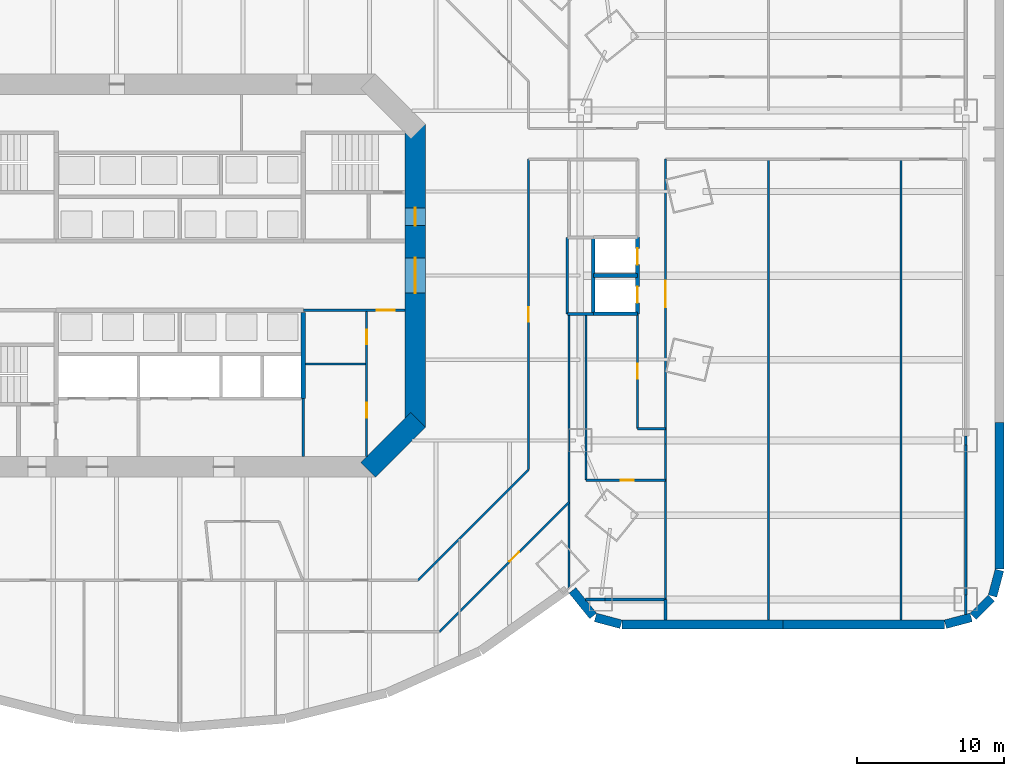
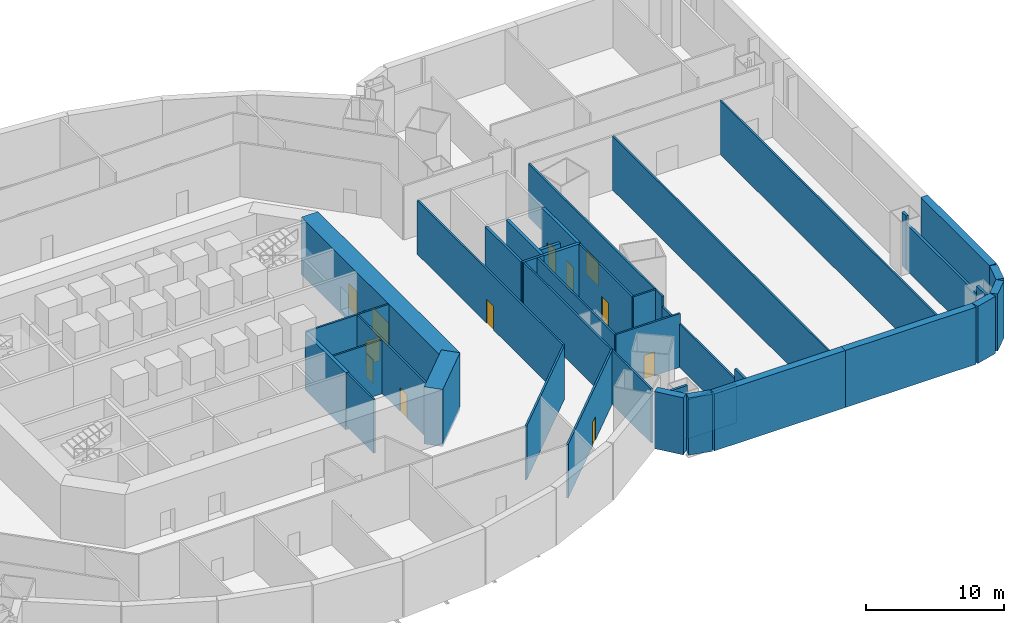
# One storey, part 7 of 11: 39 walls, 12 doors, 12 openings.
"""IFC4 building model written with IfcOpenShell, lengths in metres."""

from ifc_helpers import new_model, si_unit, direction, frame, frame_2d, origin, place, context, subcontext, project, spatial, rectangle, extrude, material, layer, layer_set, type_object, element, fill, save


model = new_model("IFC4")

# Units and contexts
model_context = context("Model", 3, precision=1e-05, world=origin(), true_north=direction((0.0, 1.0)))
body_context = subcontext(model_context, "Body", "Model", "MODEL_VIEW")
ifc_project = project(units=[si_unit("LENGTHUNIT", "METRE"), si_unit("AREAUNIT", "SQUARE_METRE"), si_unit("VOLUMEUNIT", "CUBIC_METRE"), si_unit("PLANEANGLEUNIT", "RADIAN"), si_unit("MASSUNIT", "GRAM", prefix="KILO")], contexts=[model_context])

# Site, building, storey
site_placement = place(None, origin())
site = spatial("IfcSite", under=ifc_project, at=site_placement, CompositionType="ELEMENT")
building_placement = place(site_placement, origin())
building = spatial("IfcBuilding", under=site, at=building_placement, Name="Marenthal Gate Tower", CompositionType="ELEMENT")
storey_placement = place(building_placement, frame((0.0, 0.0, -5.0)))
storey = spatial("IfcBuildingStorey", under=building, at=storey_placement, Name="B1", CompositionType="ELEMENT", Elevation=-5.0)

# Walls
ifc_material_1 = material(Name="Concrete 50 MPa", Category="concrete")
ifc_layer_1 = layer(ifc_material_1, 0.60009765625)
ifc_layer_set_1 = layer_set([ifc_layer_1], Name="BASEMENT WALL 600")
wall_type_1 = type_object("IfcWallType", Name="BASEMENT WALL 600", PredefinedType="SOLIDWALL", material=ifc_layer_set_1)
wall_1_placement = place(storey_placement, frame((26.683349609375, -21.38720703125, -0.300048828125), z_axis=(0.0, 0.0, 1.0), x_axis=(0.62890612744, -0.777481242776, 0.0)))
element("IfcWall", 1, at=wall_1_placement, inside=storey, type_object=wall_type_1, Name="BW-B1-09", PredefinedType="SOLIDWALL", context=body_context, shape_type="SweptSolid", body=[
    extrude(rectangle(XDim=2.236328125, YDim=0.60009765625, at=frame_2d((1.1181640625, 0.0))), origin(), (0.0, 0.0, 1.0), 5.050048828125),
])
wall_2_placement = place(storey_placement, frame((28.243408203125, -23.2265625, -0.300048828125), z_axis=(0.0, 0.0, 1.0), x_axis=(0.966257460443, -0.257578182573, 0.0)))
element("IfcWall", 2, at=wall_2_placement, inside=storey, type_object=wall_type_1, Name="BW-B1-10", PredefinedType="SOLIDWALL", context=body_context, shape_type="SweptSolid", body=[
    extrude(rectangle(XDim=1.799072265625, YDim=0.60009765625, at=frame_2d((0.8994140625, 0.0))), origin(), (0.0, 0.0, 1.0), 5.050048828125),
])
wall_3_placement = place(storey_placement, frame((30.05712890625, -23.699951171875, -0.300048828125), z_axis=(0.0, 0.0, 1.0), x_axis=(1.0, 0.0, 0.0)))
element("IfcWall", 3, at=wall_3_placement, inside=storey, type_object=wall_type_1, Name="BW-B1-11", PredefinedType="SOLIDWALL", context=body_context, shape_type="SweptSolid", body=[
    extrude(rectangle(XDim=10.94287109375, YDim=0.60009765625, at=frame_2d((5.471435546875, 0.0))), origin(), (0.0, 0.0, 1.0), 5.050048828125),
])
wall_4_placement = place(storey_placement, frame((41.00048828125, -23.699951171875, -0.300048828125), z_axis=(0.0, 0.0, 1.0), x_axis=(1.0, 0.0, 0.0)))
element("IfcWall", 4, at=wall_4_placement, inside=storey, type_object=wall_type_1, Name="BW-B1-12", PredefinedType="SOLIDWALL", context=body_context, shape_type="SweptSolid", body=[
    extrude(rectangle(XDim=10.9404296875, YDim=0.60009765625, at=frame_2d((5.47021484375, 0.0))), origin(), (0.0, 0.0, 1.0), 5.050048828125),
])
wall_5_placement = place(storey_placement, frame((52.0166015625, -23.690185546875, -0.300048828125), z_axis=(0.0, 0.0, 1.0), x_axis=(0.966301872336, 0.257411521733, 0.0)))
element("IfcWall", 5, at=wall_5_placement, inside=storey, type_object=wall_type_1, Name="BW-B1-13", PredefinedType="SOLIDWALL", context=body_context, shape_type="SweptSolid", body=[
    extrude(rectangle(XDim=1.8154296875, YDim=0.60009765625, at=frame_2d((0.90771484375, 0.0))), origin(), (0.0, 0.0, 1.0), 5.050048828125),
])
wall_6_placement = place(storey_placement, frame((53.904052734375, -23.146484375, -0.300048828125), z_axis=(0.0, 0.0, 1.0), x_axis=(0.707176340655, 0.707037214875, 0.0)))
element("IfcWall", 6, at=wall_6_placement, inside=storey, type_object=wall_type_1, Name="BW-B1-14", PredefinedType="SOLIDWALL", context=body_context, shape_type="SweptSolid", body=[
    extrude(rectangle(XDim=1.7548828125, YDim=0.60009765625, at=frame_2d((0.87744140625, 0.0))), origin(), (0.0, 0.0, 1.0), 5.050048828125),
])
wall_7_placement = place(storey_placement, frame((55.22216796875, -21.77294921875, -0.300048828125), z_axis=(0.0, 0.0, 1.0), x_axis=(0.257595706611, 0.966252788837, 0.0)))
element("IfcWall", 7, at=wall_7_placement, inside=storey, type_object=wall_type_1, Name="BW-B1-15", PredefinedType="SOLIDWALL", context=body_context, shape_type="SweptSolid", body=[
    extrude(rectangle(XDim=1.81591796875, YDim=0.60009765625, at=frame_2d((0.907958984375, 0.0))), origin(), (0.0, 0.0, 1.0), 5.050048828125),
])
wall_8_placement = place(storey_placement, frame((55.699951171875, -19.94287109375, -0.300048828125), z_axis=(0.0, 0.0, 1.0), x_axis=(0.0, 1.0, 0.0)))
element("IfcWall", 8, at=wall_8_placement, inside=storey, type_object=wall_type_1, Name="BW-B1-16", PredefinedType="SOLIDWALL", context=body_context, shape_type="SweptSolid", body=[
    extrude(rectangle(XDim=9.95263671875, YDim=0.60009765625, at=frame_2d((4.976318359375, 0.0))), origin(), (0.0, 0.0, 1.0), 5.050048828125),
])
ifc_material_2 = material(Name="Concrete 60 MPa", Category="concrete")
ifc_layer_2 = layer(ifc_material_2, 1.39990234375)
ifc_layer_set_2 = layer_set([ifc_layer_2], Name="Core shear wall 1400")
wall_type_2 = type_object("IfcWallType", Name="Core shear wall 1400", PredefinedType="SHEAR", material=ifc_layer_set_2)
wall_9_placement = place(storey_placement, frame((12.794921875, -13.205078125, -0.300048828125), z_axis=(0.0, 0.0, 1.0), x_axis=(0.707106781187, 0.707106781187, 0.0)))
element("IfcWall", 9, at=wall_9_placement, inside=storey, type_object=wall_type_2, Name="Core wall 01", PredefinedType="SHEAR", context=body_context, shape_type="SweptSolid", body=[
    extrude(rectangle(XDim=4.82275390625, YDim=1.39990234375, at=frame_2d((2.411376953125, 0.0))), origin(), (0.0, 0.0, 1.0), 5.050048828125),
])

# Wall, openings, doors
wall_10_placement = place(storey_placement, frame((16.0, -10.289794921875, -0.300048828125), z_axis=(0.0, 0.0, 1.0), x_axis=(0.0, 1.0, 0.0)))
wall_10 = element("IfcWall", 10, at=wall_10_placement, inside=storey, type_object=wall_type_2, Name="Core wall 02", PredefinedType="SHEAR", context=body_context, shape_type="SweptSolid", body=[
    extrude(rectangle(XDim=20.57958984375, YDim=1.39990234375, at=frame_2d((10.289794921875, 0.0))), origin(), (0.0, 0.0, 1.0), 5.050048828125),
])
opening_1_placement = place(wall_10_placement, frame((9.08984375, 0.0, 0.300048828125)))
opening_1 = element("IfcOpeningElement", 11, at=opening_1_placement, cuts=wall_10, Name="Opening D003.02", PredefinedType="OPENING", context=body_context, shape_type="SweptSolid", body=[
    extrude(rectangle(XDim=2.39990234375, YDim=2.10009765625, at=frame_2d((1.199951171875, 1.050048828125))), frame((0.0, 0.7099609375, 0.0), z_axis=(0.0, -1.0, 0.0), x_axis=(1.0, 0.0, 0.0)), (0.0, 0.0, 1.0), 1.419921875),
])
opening_2_placement = place(wall_10_placement, frame((13.68994140625, 0.0, 0.300048828125)))
opening_2 = element("IfcOpeningElement", 12, at=opening_2_placement, cuts=wall_10, Name="Opening D001.05", PredefinedType="OPENING", context=body_context, shape_type="SweptSolid", body=[
    extrude(rectangle(XDim=1.199951171875, YDim=2.10009765625, at=frame_2d((0.60009765625, 1.050048828125))), frame((0.0, 0.7099609375, 0.0), z_axis=(0.0, -1.0, 0.0), x_axis=(1.0, 0.0, 0.0)), (0.0, 0.0, 1.0), 1.419921875),
])
ifc_material_3 = material(Name="Steel fire door", Category="steel")
door_type_1 = type_object("IfcDoorType", Name="Double fire door FD 45 2400 x 2100", OperationType="DOUBLE_DOOR_SINGLE_SWING", PredefinedType="DOOR", material=ifc_material_3)
door_1_placement = place(opening_1_placement, origin())
door_1 = element("IfcDoor", 13, at=door_1_placement, inside=storey, type_object=door_type_1, Name="Door D003.02", OperationType="DOUBLE_DOOR_SINGLE_SWING", OverallHeight=2.10009765625, OverallWidth=2.39990234375, PredefinedType="DOOR", context=body_context, shape_type="SweptSolid", body=[
    extrude(rectangle(XDim=2.39990234375, YDim=2.10009765625, at=frame_2d((1.199951171875, 1.050048828125))), frame((0.0, 0.02490234375, 0.0), z_axis=(0.0, -1.0, 0.0), x_axis=(1.0, 0.0, 0.0)), (0.0, 0.0, 1.0), 0.050048828125),
])
fill(opening_1, door_1)
ifc_material_4 = material(Name="Steel fire door", Category="steel")
door_type_2 = type_object("IfcDoorType", Name="Fire door FD 90 1200 x 2100", OperationType="NOTDEFINED", PredefinedType="DOOR", material=ifc_material_4)
door_2_placement = place(opening_2_placement, origin())
door_2 = element("IfcDoor", 14, at=door_2_placement, inside=storey, type_object=door_type_2, Name="Door D001.05", OperationType="SINGLE_SWING_RIGHT", OverallHeight=2.10009765625, OverallWidth=1.199951171875, PredefinedType="DOOR", context=body_context, shape_type="SweptSolid", body=[
    extrude(rectangle(XDim=1.199951171875, YDim=2.10009765625, at=frame_2d((0.60009765625, 1.050048828125))), frame((0.0, 0.02490234375, 0.0), z_axis=(0.0, -1.0, 0.0), x_axis=(1.0, 0.0, 0.0)), (0.0, 0.0, 1.0), 0.050048828125),
])
fill(opening_2, door_2)

# Walls
ifc_material_5 = material(Name="Concrete 50 MPa", Category="concrete")
ifc_layer_3 = layer(ifc_material_5, 0.300048828125)
ifc_layer_set_3 = layer_set([ifc_layer_3], Name="Hoistway shear wall 300")
wall_type_3 = type_object("IfcWallType", Name="Hoistway shear wall 300", PredefinedType="SHEAR", material=ifc_layer_set_3)
wall_11_placement = place(storey_placement, frame((8.39990234375, -8.35009765625, -0.300048828125), z_axis=(0.0, 0.0, 1.0), x_axis=(0.0, 1.0, 0.0)))
element("IfcWall", 15, at=wall_11_placement, inside=storey, type_object=wall_type_3, Name="Hoistway wall 42", PredefinedType="SHEAR", context=body_context, shape_type="SweptSolid", body=[
    extrude(rectangle(XDim=5.85009765625, YDim=0.300048828125, at=frame_2d((2.925048828125, 0.0))), origin(), (0.0, 0.0, 1.0), 5.050048828125),
])
ifc_material_6 = material(Name="Concrete 40 MPa", Category="concrete")
ifc_layer_4 = layer(ifc_material_6, 0.25)
ifc_layer_set_4 = layer_set([ifc_layer_4], Name="Hoistway wall 250")
wall_type_4 = type_object("IfcWallType", Name="Hoistway wall 250", PredefinedType="STANDARD", material=ifc_layer_set_4)
wall_12_placement = place(storey_placement, frame((28.10009765625, -2.60009765625, 0.0), z_axis=(0.0, 0.0, 1.0), x_axis=(1.0, 0.0, 0.0)))
element("IfcWall", 16, at=wall_12_placement, inside=storey, type_object=wall_type_4, Name="Hoistway wall 48", PredefinedType="STANDARD", context=body_context, shape_type="SweptSolid", body=[
    extrude(rectangle(XDim=3.0, YDim=0.25, at=frame_2d((1.5, 0.0))), origin(), (0.0, 0.0, 1.0), 4.75),
])
wall_13_placement = place(storey_placement, frame((28.10009765625, 0.0, 0.0), z_axis=(0.0, 0.0, 1.0), x_axis=(1.0, 0.0, 0.0)))
element("IfcWall", 17, at=wall_13_placement, inside=storey, type_object=wall_type_4, Name="Hoistway wall 50", PredefinedType="STANDARD", context=body_context, shape_type="SweptSolid", body=[
    extrude(rectangle(XDim=3.0, YDim=0.25, at=frame_2d((1.5, 0.0))), origin(), (0.0, 0.0, 1.0), 3.25),
])

# Wall, openings, doors
wall_14_placement = place(storey_placement, frame((31.10009765625, -2.60498046875, 0.0), z_axis=(0.0, 0.0, 1.0), x_axis=(0.0, 1.0, 0.0)))
wall_14 = element("IfcWall", 18, at=wall_14_placement, inside=storey, type_object=wall_type_4, Name="Hoistway wall 53", PredefinedType="STANDARD", context=body_context, shape_type="SweptSolid", body=[
    extrude(rectangle(XDim=5.2099609375, YDim=0.25, at=frame_2d((2.60498046875, 0.0))), origin(), (0.0, 0.0, 1.0), 4.75),
])
opening_3_placement = place(wall_14_placement, frame((0.7548828125, 0.0, 0.0)))
opening_3 = element("IfcOpeningElement", 19, at=opening_3_placement, cuts=wall_14, Name="Opening LD.01", PredefinedType="OPENING", context=body_context, shape_type="SweptSolid", body=[
    extrude(rectangle(XDim=1.10009765625, YDim=2.10009765625, at=frame_2d((0.550048828125, 1.050048828125))), frame((0.0, 0.135009765625, 0.0), z_axis=(0.0, -1.0, 0.0), x_axis=(1.0, 0.0, 0.0)), (0.0, 0.0, 1.0), 0.27001953125),
])
opening_4_placement = place(wall_14_placement, frame((3.35498046875, 0.0, 0.0)))
opening_4 = element("IfcOpeningElement", 20, at=opening_4_placement, cuts=wall_14, Name="Opening LD.02", PredefinedType="OPENING", context=body_context, shape_type="SweptSolid", body=[
    extrude(rectangle(XDim=1.10009765625, YDim=2.10009765625, at=frame_2d((0.550048828125, 1.050048828125))), frame((0.0, 0.135009765625, 0.0), z_axis=(0.0, -1.0, 0.0), x_axis=(1.0, 0.0, 0.0)), (0.0, 0.0, 1.0), 0.27001953125),
])
ifc_material_7 = material(Name="Stainless steel sliding door", Category="steel")
door_type_3 = type_object("IfcDoorType", Name="Lift landing door FD 90 1100 x 2100", OperationType="DOUBLE_DOOR_SLIDING", PredefinedType="DOOR", material=ifc_material_7)
door_3_placement = place(opening_3_placement, origin())
door_3 = element("IfcDoor", 21, at=door_3_placement, inside=storey, type_object=door_type_3, Name="Lift landing door 01", OperationType="DOUBLE_DOOR_SLIDING", OverallHeight=2.10009765625, OverallWidth=1.10009765625, PredefinedType="DOOR", context=body_context, shape_type="SweptSolid", body=[
    extrude(rectangle(XDim=1.10009765625, YDim=2.10009765625, at=frame_2d((0.550048828125, 1.050048828125))), frame((0.0, 0.02490234375, 0.0), z_axis=(0.0, -1.0, 0.0), x_axis=(1.0, 0.0, 0.0)), (0.0, 0.0, 1.0), 0.050048828125),
])
fill(opening_3, door_3)
door_4_placement = place(opening_4_placement, origin())
door_4 = element("IfcDoor", 22, at=door_4_placement, inside=storey, type_object=door_type_3, Name="Lift landing door 02", OperationType="DOUBLE_DOOR_SLIDING", OverallHeight=2.10009765625, OverallWidth=1.10009765625, PredefinedType="DOOR", context=body_context, shape_type="SweptSolid", body=[
    extrude(rectangle(XDim=1.10009765625, YDim=2.10009765625, at=frame_2d((0.550048828125, 1.050048828125))), frame((0.0, 0.02490234375, 0.0), z_axis=(0.0, -1.0, 0.0), x_axis=(1.0, 0.0, 0.0)), (0.0, 0.0, 1.0), 0.050048828125),
])
fill(opening_4, door_4)

# Walls
wall_15_placement = place(storey_placement, frame((28.10009765625, -2.60009765625, 0.0), z_axis=(0.0, 0.0, 1.0), x_axis=(0.0, 1.0, 0.0)))
element("IfcWall", 23, at=wall_15_placement, inside=storey, type_object=wall_type_4, Name="Hoistway wall 54", PredefinedType="STANDARD", context=body_context, shape_type="SweptSolid", body=[
    extrude(rectangle(XDim=5.2001953125, YDim=0.25, at=frame_2d((2.60009765625, 0.0))), origin(), (0.0, 0.0, 1.0), 4.75),
])
ifc_material_8 = material(Name="Gypsum board on steel studs", Category="steel")
ifc_layer_5 = layer(ifc_material_8, 0.14990234375)
ifc_layer_set_5 = layer_set([ifc_layer_5], Name="Partition 150")
wall_type_5 = type_object("IfcWallType", Name="Partition 150", PredefinedType="PARTITIONING", material=ifc_layer_set_5)
wall_16_placement = place(storey_placement, frame((8.550048828125, -6.0, 0.0), z_axis=(0.0, 0.0, 1.0), x_axis=(1.0, 0.0, 0.0)))
element("IfcWall", 24, at=wall_16_placement, inside=storey, type_object=wall_type_5, Name="Partition wall 12", PredefinedType="PARTITIONING", context=body_context, shape_type="SweptSolid", body=[
    extrude(rectangle(XDim=4.074951171875, YDim=0.14990234375, at=frame_2d((2.03759765625, 0.0))), origin(), (0.0, 0.0, 1.0), 4.75),
])

# Wall, opening, door
wall_17_placement = place(storey_placement, frame((8.39990234375, -2.35009765625, 0.0), z_axis=(0.0, 0.0, 1.0), x_axis=(1.0, 0.0, 0.0)))
wall_17 = element("IfcWall", 25, at=wall_17_placement, inside=storey, type_object=wall_type_5, Name="Partition wall 17", PredefinedType="PARTITIONING", context=body_context, shape_type="SweptSolid", body=[
    extrude(rectangle(XDim=6.900146484375, YDim=0.14990234375, at=frame_2d((3.4501953125, 0.0))), origin(), (0.0, 0.0, 1.0), 4.75),
])
opening_5_placement = place(wall_17_placement, frame((5.0, 0.0, 0.0)))
opening_5 = element("IfcOpeningElement", 26, at=opening_5_placement, cuts=wall_17, Name="Opening D006.01", PredefinedType="OPENING", context=body_context, shape_type="SweptSolid", body=[
    extrude(rectangle(XDim=1.199951171875, YDim=2.10009765625, at=frame_2d((0.60009765625, 1.050048828125))), frame((0.0, 0.0849609375, 0.0), z_axis=(0.0, -1.0, 0.0), x_axis=(1.0, 0.0, 0.0)), (0.0, 0.0, 1.0), 0.169921875),
])
ifc_material_9 = material(Name="Steel fire door", Category="steel")
door_type_4 = type_object("IfcDoorType", Name="Fire door FD 45 1200 x 2100", OperationType="NOTDEFINED", PredefinedType="DOOR", material=ifc_material_9)
door_5_placement = place(opening_5_placement, frame((1.199951171875, 0.0, 0.0), z_axis=(0.0, 0.0, 1.0), x_axis=(-1.0, 0.0, 0.0)))
door_5 = element("IfcDoor", 27, at=door_5_placement, inside=storey, type_object=door_type_4, Name="Door D006.01", OperationType="SINGLE_SWING_LEFT", OverallHeight=2.10009765625, OverallWidth=1.199951171875, PredefinedType="DOOR", context=body_context, shape_type="SweptSolid", body=[
    extrude(rectangle(XDim=1.199951171875, YDim=2.10009765625, at=frame_2d((0.60009765625, 1.050048828125))), frame((0.0, 0.02490234375, 0.0), z_axis=(0.0, -1.0, 0.0), x_axis=(1.0, 0.0, 0.0)), (0.0, 0.0, 1.0), 0.050048828125),
])
fill(opening_5, door_5)

# Wall
wall_18_placement = place(storey_placement, frame((8.39990234375, -12.300048828125, 0.0), z_axis=(0.0, 0.0, 1.0), x_axis=(0.0, 1.0, 0.0)))
element("IfcWall", 28, at=wall_18_placement, inside=storey, type_object=wall_type_5, Name="Partition wall 41", PredefinedType="PARTITIONING", context=body_context, shape_type="SweptSolid", body=[
    extrude(rectangle(XDim=3.949951171875, YDim=0.14990234375, at=frame_2d((1.97509765625, 0.0))), origin(), (0.0, 0.0, 1.0), 4.75),
])

# Wall, openings, doors
wall_19_placement = place(storey_placement, frame((12.699951171875, -12.300048828125, 0.0), z_axis=(0.0, 0.0, 1.0), x_axis=(0.0, 1.0, 0.0)))
wall_19 = element("IfcWall", 29, at=wall_19_placement, inside=storey, type_object=wall_type_5, Name="Partition wall 45", PredefinedType="PARTITIONING", context=body_context, shape_type="SweptSolid", body=[
    extrude(rectangle(XDim=9.875, YDim=0.14990234375, at=frame_2d((4.9375, 0.0))), origin(), (0.0, 0.0, 1.0), 4.75),
])
opening_6_placement = place(wall_19_placement, frame((7.625, 0.0, 0.0)))
opening_6 = element("IfcOpeningElement", 30, at=opening_6_placement, cuts=wall_19, Name="Opening D005.03", PredefinedType="OPENING", context=body_context, shape_type="SweptSolid", body=[
    extrude(rectangle(XDim=1.0, YDim=2.10009765625, at=frame_2d((0.5, 1.050048828125))), frame((0.0, 0.0849609375, 0.0), z_axis=(0.0, -1.0, 0.0), x_axis=(1.0, 0.0, 0.0)), (0.0, 0.0, 1.0), 0.169921875),
])
opening_7_placement = place(wall_19_placement, frame((2.64990234375, 0.0, 0.0)))
opening_7 = element("IfcOpeningElement", 31, at=opening_7_placement, cuts=wall_19, Name="Opening D005.04", PredefinedType="OPENING", context=body_context, shape_type="SweptSolid", body=[
    extrude(rectangle(XDim=1.0, YDim=2.10009765625, at=frame_2d((0.5, 1.050048828125))), frame((0.0, 0.0849609375, 0.0), z_axis=(0.0, -1.0, 0.0), x_axis=(1.0, 0.0, 0.0)), (0.0, 0.0, 1.0), 0.169921875),
])
ifc_material_10 = material(Name="Steel fire door", Category="steel")
door_type_5 = type_object("IfcDoorType", Name="Fire door FD 45 1000 x 2100", OperationType="NOTDEFINED", PredefinedType="DOOR", material=ifc_material_10)
door_6_placement = place(opening_6_placement, origin())
door_6 = element("IfcDoor", 32, at=door_6_placement, inside=storey, type_object=door_type_5, Name="Door D005.03", OperationType="SINGLE_SWING_RIGHT", OverallHeight=2.10009765625, OverallWidth=1.0, PredefinedType="DOOR", context=body_context, shape_type="SweptSolid", body=[
    extrude(rectangle(XDim=1.0, YDim=2.10009765625, at=frame_2d((0.5, 1.050048828125))), frame((0.0, 0.02490234375, 0.0), z_axis=(0.0, -1.0, 0.0), x_axis=(1.0, 0.0, 0.0)), (0.0, 0.0, 1.0), 0.050048828125),
])
fill(opening_6, door_6)
door_7_placement = place(opening_7_placement, origin())
door_7 = element("IfcDoor", 33, at=door_7_placement, inside=storey, type_object=door_type_5, Name="Door D005.04", OperationType="SINGLE_SWING_RIGHT", OverallHeight=2.10009765625, OverallWidth=1.0, PredefinedType="DOOR", context=body_context, shape_type="SweptSolid", body=[
    extrude(rectangle(XDim=1.0, YDim=2.10009765625, at=frame_2d((0.5, 1.050048828125))), frame((0.0, 0.02490234375, 0.0), z_axis=(0.0, -1.0, 0.0), x_axis=(1.0, 0.0, 0.0)), (0.0, 0.0, 1.0), 0.050048828125),
])
fill(opening_7, door_7)

# Walls
for number, where, z_axis, x_axis, name in (
    (34, (49.0, -23.409912109375, 0.0), (0.0, 0.0, 1.0), (0.0, 1.0, 0.0), "Partition wall 65"),
    (35, (40.0, -23.409912109375, 0.0), (0.0, 0.0, 1.0), (0.0, 1.0, 0.0), "Partition wall 66"),
):
    element("IfcWall", number, at=place(storey_placement, frame(where, z_axis=z_axis, x_axis=x_axis)), inside=storey, type_object=wall_type_5, Name=name, PredefinedType="PARTITIONING", context=body_context, shape_type="SweptSolid", body=[
        extrude(rectangle(XDim=31.309814453125, YDim=0.14990234375, at=frame_2d((15.65478515625, 0.0))), origin(), (0.0, 0.0, 1.0), 4.75),
    ])
wall_20_placement = place(storey_placement, frame((33.0, -22.0048828125, 0.0), z_axis=(0.0, 0.0, 1.0), x_axis=(0.0, 1.0, 0.0)))
element("IfcWall", 36, at=wall_20_placement, inside=storey, type_object=wall_type_5, Name="Partition wall 67", PredefinedType="PARTITIONING", context=body_context, shape_type="SweptSolid", body=[
    extrude(rectangle(XDim=10.56494140625, YDim=0.14990234375, at=frame_2d((5.282470703125, 0.0))), origin(), (0.0, 0.0, 1.0), 3.845947265625),
])

# Wall, opening, door
wall_21_placement = place(storey_placement, frame((33.0, -11.43994140625, 0.0), z_axis=(0.0, 0.0, 1.0), x_axis=(0.0, 1.0, 0.0)))
wall_21 = element("IfcWall", 37, at=wall_21_placement, inside=storey, type_object=wall_type_5, Name="Partition wall 155", PredefinedType="PARTITIONING", context=body_context, shape_type="SweptSolid", body=[
    extrude(rectangle(XDim=19.344970703125, YDim=0.14990234375, at=frame_2d((9.67236328125, 0.0))), origin(), (0.0, 0.0, 1.0), 4.75),
])
opening_8_placement = place(wall_21_placement, frame((9.2900390625, 0.0, 0.0)))
opening_8 = element("IfcOpeningElement", 38, at=opening_8_placement, cuts=wall_21, Name="Opening D007.03", PredefinedType="OPENING", context=body_context, shape_type="SweptSolid", body=[
    extrude(rectangle(XDim=1.800048828125, YDim=2.10009765625, at=frame_2d((0.89990234375, 1.050048828125))), frame((0.0, 0.0849609375, 0.0), z_axis=(0.0, -1.0, 0.0), x_axis=(1.0, 0.0, 0.0)), (0.0, 0.0, 1.0), 0.169921875),
])
ifc_material_11 = material(Name="Steel fire door", Category="steel")
door_type_6 = type_object("IfcDoorType", Name="Double fire door FD 45 1800 x 2100", OperationType="DOUBLE_DOOR_SINGLE_SWING", PredefinedType="DOOR", material=ifc_material_11)
door_8_placement = place(opening_8_placement, origin())
door_8 = element("IfcDoor", 39, at=door_8_placement, inside=storey, type_object=door_type_6, Name="Door D007.03", OperationType="DOUBLE_DOOR_SINGLE_SWING", OverallHeight=2.10009765625, OverallWidth=1.800048828125, PredefinedType="DOOR", context=body_context, shape_type="SweptSolid", body=[
    extrude(rectangle(XDim=1.800048828125, YDim=2.10009765625, at=frame_2d((0.89990234375, 1.050048828125))), frame((0.0, 0.02490234375, 0.0), z_axis=(0.0, -1.0, 0.0), x_axis=(1.0, 0.0, 0.0)), (0.0, 0.0, 1.0), 0.050048828125),
])
fill(opening_8, door_8)

wall_22_placement = place(storey_placement, frame((27.60009765625, -13.89990234375, 0.0), z_axis=(0.0, 0.0, 1.0), x_axis=(1.0, 0.0, 0.0)))
wall_22 = element("IfcWall", 40, at=wall_22_placement, inside=storey, type_object=wall_type_5, Name="Partition wall 82", PredefinedType="PARTITIONING", context=body_context, shape_type="SweptSolid", body=[
    extrude(rectangle(XDim=5.39990234375, YDim=0.14990234375, at=frame_2d((2.699951171875, 0.0))), origin(), (0.0, 0.0, 1.0), 4.75),
])
opening_9_placement = place(wall_22_placement, frame((2.35009765625, 0.0, 0.0)))
opening_9 = element("IfcOpeningElement", 41, at=opening_9_placement, cuts=wall_22, Name="Opening D011.05", PredefinedType="OPENING", context=body_context, shape_type="SweptSolid", body=[
    extrude(rectangle(XDim=0.89990234375, YDim=2.10009765625, at=frame_2d((0.449951171875, 1.050048828125))), frame((0.0, 0.0849609375, 0.0), z_axis=(0.0, -1.0, 0.0), x_axis=(1.0, 0.0, 0.0)), (0.0, 0.0, 1.0), 0.169921875),
])
ifc_material_12 = material(Name="Timber door", Category="wood")
door_type_7 = type_object("IfcDoorType", Name="Door 900 x 2100", OperationType="NOTDEFINED", PredefinedType="DOOR", material=ifc_material_12)
door_9_placement = place(opening_9_placement, origin())
door_9 = element("IfcDoor", 42, at=door_9_placement, inside=storey, type_object=door_type_7, Name="Door D011.05", OperationType="SINGLE_SWING_RIGHT", OverallHeight=2.10009765625, OverallWidth=0.89990234375, PredefinedType="DOOR", context=body_context, shape_type="SweptSolid", body=[
    extrude(rectangle(XDim=0.89990234375, YDim=2.10009765625, at=frame_2d((0.449951171875, 1.050048828125))), frame((0.0, 0.02490234375, 0.0), z_axis=(0.0, -1.0, 0.0), x_axis=(1.0, 0.0, 0.0)), (0.0, 0.0, 1.0), 0.050048828125),
])
fill(opening_9, door_9)

# Wall
wall_23_placement = place(storey_placement, frame((31.10009765625, -10.39990234375, 0.0), z_axis=(0.0, 0.0, 1.0), x_axis=(1.0, 0.0, 0.0)))
element("IfcWall", 43, at=wall_23_placement, inside=storey, type_object=wall_type_5, Name="Partition wall 84", PredefinedType="PARTITIONING", context=body_context, shape_type="SweptSolid", body=[
    extrude(rectangle(XDim=1.89990234375, YDim=0.14990234375, at=frame_2d((0.949951171875, 0.0))), origin(), (0.0, 0.0, 1.0), 4.75),
])

# Wall, opening, door
wall_24_placement = place(storey_placement, frame((17.63916015625, -24.199951171875, 0.0), z_axis=(0.0, 0.0, 1.0), x_axis=(0.707106781187, 0.707106781187, 0.0)))
wall_24 = element("IfcWall", 44, at=wall_24_placement, inside=storey, type_object=wall_type_5, Name="Partition wall 93", PredefinedType="PARTITIONING", context=body_context, shape_type="SweptSolid", body=[
    extrude(rectangle(XDim=12.46044921875, YDim=0.14990234375, at=frame_2d((6.230224609375, 0.0))), origin(), (0.0, 0.0, 1.0), 4.75),
])
opening_10_placement = place(wall_24_placement, frame((6.742431640625, 0.0, 0.0)))
opening_10 = element("IfcOpeningElement", 45, at=opening_10_placement, cuts=wall_24, Name="Opening D011.04", PredefinedType="OPENING", context=body_context, shape_type="SweptSolid", body=[
    extrude(rectangle(XDim=0.89990234375, YDim=2.10009765625, at=frame_2d((0.449951171875, 1.050048828125))), frame((0.0, 0.0849609375, 0.0), z_axis=(0.0, -1.0, 0.0), x_axis=(1.0, 0.0, 0.0)), (0.0, 0.0, 1.0), 0.169921875),
])
door_10_placement = place(opening_10_placement, frame((0.89990234375, 0.0, 0.0), z_axis=(0.0, 0.0, 1.0), x_axis=(-1.0, 0.0, 0.0)))
door_10 = element("IfcDoor", 46, at=door_10_placement, inside=storey, type_object=door_type_7, Name="Door D011.04", OperationType="SINGLE_SWING_LEFT", OverallHeight=2.10009765625, OverallWidth=0.89990234375, PredefinedType="DOOR", context=body_context, shape_type="SweptSolid", body=[
    extrude(rectangle(XDim=0.89990234375, YDim=2.10009765625, at=frame_2d((0.449951171875, 1.050048828125))), frame((0.0, 0.02490234375, 0.0), z_axis=(0.0, -1.0, 0.0), x_axis=(1.0, 0.0, 0.0)), (0.0, 0.0, 1.0), 0.050048828125),
])
fill(opening_10, door_10)

# Wall
wall_25_placement = place(storey_placement, frame((16.189453125, -20.699951171875, 0.0), z_axis=(0.0, 0.0, 1.0), x_axis=(0.707106781187, 0.707106781187, 0.0)))
element("IfcWall", 47, at=wall_25_placement, inside=storey, type_object=wall_type_5, Name="Partition wall 94", PredefinedType="PARTITIONING", context=body_context, shape_type="SweptSolid", body=[
    extrude(rectangle(XDim=10.621337890625, YDim=0.14990234375, at=frame_2d((5.310546875, 0.0))), origin(), (0.0, 0.0, 1.0), 4.75),
])

# Wall, opening, door
wall_26_placement = place(storey_placement, frame((31.10009765625, -10.39990234375, 0.0), z_axis=(0.0, 0.0, 1.0), x_axis=(0.0, 1.0, 0.0)))
wall_26 = element("IfcWall", 48, at=wall_26_placement, inside=storey, type_object=wall_type_5, Name="Partition wall 98", PredefinedType="PARTITIONING", context=body_context, shape_type="SweptSolid", body=[
    extrude(rectangle(XDim=7.804931640625, YDim=0.14990234375, at=frame_2d((3.90234375, 0.0))), origin(), (0.0, 0.0, 1.0), 4.75),
])
opening_11_placement = place(wall_26_placement, frame((3.39990234375, 0.0, 0.0)))
opening_11 = element("IfcOpeningElement", 49, at=opening_11_placement, cuts=wall_26, Name="Opening D012.09", PredefinedType="OPENING", context=body_context, shape_type="SweptSolid", body=[
    extrude(rectangle(XDim=1.0, YDim=2.10009765625, at=frame_2d((0.5, 1.050048828125))), frame((0.0, 0.0849609375, 0.0), z_axis=(0.0, -1.0, 0.0), x_axis=(1.0, 0.0, 0.0)), (0.0, 0.0, 1.0), 0.169921875),
])
ifc_material_13 = material(Name="Timber door", Category="wood")
door_type_8 = type_object("IfcDoorType", Name="Door 1000 x 2100", OperationType="NOTDEFINED", PredefinedType="DOOR", material=ifc_material_13)
door_11_placement = place(opening_11_placement, origin())
door_11 = element("IfcDoor", 50, at=door_11_placement, inside=storey, type_object=door_type_8, Name="Door D012.09", OperationType="SINGLE_SWING_RIGHT", OverallHeight=2.10009765625, OverallWidth=1.0, PredefinedType="DOOR", context=body_context, shape_type="SweptSolid", body=[
    extrude(rectangle(XDim=1.0, YDim=2.10009765625, at=frame_2d((0.5, 1.050048828125))), frame((0.0, 0.02490234375, 0.0), z_axis=(0.0, -1.0, 0.0), x_axis=(1.0, 0.0, 0.0)), (0.0, 0.0, 1.0), 0.050048828125),
])
fill(opening_11, door_11)

# Walls
wall_27_placement = place(storey_placement, frame((27.60009765625, -13.89990234375, 0.0), z_axis=(0.0, 0.0, 1.0), x_axis=(0.0, 1.0, 0.0)))
element("IfcWall", 51, at=wall_27_placement, inside=storey, type_object=wall_type_5, Name="Partition wall 00", PredefinedType="PARTITIONING", context=body_context, shape_type="SweptSolid", body=[
    extrude(rectangle(XDim=11.2998046875, YDim=0.14990234375, at=frame_2d((5.64990234375, 0.0))), origin(), (0.0, 0.0, 1.0), 4.75),
])
wall_28_placement = place(storey_placement, frame((26.449951171875, -21.222412109375, 0.0), z_axis=(0.0, 0.0, 1.0), x_axis=(0.0, 1.0, 0.0)))
element("IfcWall", 52, at=wall_28_placement, inside=storey, type_object=wall_type_5, Name="Partition wall 01", PredefinedType="PARTITIONING", context=body_context, shape_type="SweptSolid", body=[
    extrude(rectangle(XDim=18.622314453125, YDim=0.14990234375, at=frame_2d((9.31103515625, 0.0))), origin(), (0.0, 0.0, 1.0), 4.75),
])

# Wall, opening, door
wall_29_placement = place(storey_placement, frame((23.699951171875, -13.189453125, 0.0), z_axis=(0.0, 0.0, 1.0), x_axis=(0.0, 1.0, 0.0)))
wall_29 = element("IfcWall", 53, at=wall_29_placement, inside=storey, type_object=wall_type_5, Name="Partition wall 03", PredefinedType="PARTITIONING", context=body_context, shape_type="SweptSolid", body=[
    extrude(rectangle(XDim=21.094482421875, YDim=0.14990234375, at=frame_2d((10.54736328125, 0.0))), origin(), (0.0, 0.0, 1.0), 4.75),
])
opening_12_placement = place(wall_29_placement, frame((10.044677734375, 0.0, 0.0)))
opening_12 = element("IfcOpeningElement", 54, at=opening_12_placement, cuts=wall_29, Name="Opening D012.08", PredefinedType="OPENING", context=body_context, shape_type="SweptSolid", body=[
    extrude(rectangle(XDim=1.0, YDim=2.10009765625, at=frame_2d((0.5, 1.050048828125))), frame((0.0, 0.0849609375, 0.0), z_axis=(0.0, -1.0, 0.0), x_axis=(1.0, 0.0, 0.0)), (0.0, 0.0, 1.0), 0.169921875),
])
door_12_placement = place(opening_12_placement, frame((1.0, 0.0, 0.0), z_axis=(0.0, 0.0, 1.0), x_axis=(-1.0, 0.0, 0.0)))
door_12 = element("IfcDoor", 55, at=door_12_placement, inside=storey, type_object=door_type_8, Name="Door D012.08", OperationType="SINGLE_SWING_LEFT", OverallHeight=2.10009765625, OverallWidth=1.0, PredefinedType="DOOR", context=body_context, shape_type="SweptSolid", body=[
    extrude(rectangle(XDim=1.0, YDim=2.10009765625, at=frame_2d((0.5, 1.050048828125))), frame((0.0, 0.02490234375, 0.0), z_axis=(0.0, -1.0, 0.0), x_axis=(1.0, 0.0, 0.0)), (0.0, 0.0, 1.0), 0.050048828125),
])
fill(opening_12, door_12)

# Walls
ifc_material_14 = material(Name="Gypsum board on steel studs", Category="steel")
ifc_layer_6 = layer(ifc_material_14, 0.199951171875)
ifc_layer_set_6 = layer_set([ifc_layer_6], Name="Partition 200")
wall_type_6 = type_object("IfcWallType", Name="Partition 200", PredefinedType="PARTITIONING", material=ifc_layer_set_6)
wall_30_placement = place(storey_placement, frame((27.572021484375, -22.0, 0.0), z_axis=(0.0, 0.0, 1.0), x_axis=(1.0, 0.0, 0.0)))
element("IfcWall", 56, at=wall_30_placement, inside=storey, type_object=wall_type_6, Name="Partition wall 17", PredefinedType="PARTITIONING", context=body_context, shape_type="SweptSolid", body=[
    extrude(rectangle(XDim=1.327880859375, YDim=0.199951171875, at=frame_2d((0.6640625, 0.0))), origin(), (0.0, 0.0, 1.0), 4.75),
])
wall_31_placement = place(storey_placement, frame((28.89990234375, -22.0, 0.0), z_axis=(0.0, 0.0, 1.0), x_axis=(1.0, 0.0, 0.0)))
element("IfcWall", 57, at=wall_31_placement, inside=storey, type_object=wall_type_6, Name="Partition wall 160", PredefinedType="PARTITIONING", context=body_context, shape_type="SweptSolid", body=[
    extrude(rectangle(XDim=4.10009765625, YDim=0.199951171875, at=frame_2d((2.050048828125, 0.0))), origin(), (0.0, 0.0, 1.0), 3.449951171875),
])
wall_32_placement = place(storey_placement, frame((26.330078125, -2.60009765625, 0.0), z_axis=(0.0, 0.0, 1.0), x_axis=(1.0, 0.0, 0.0)))
element("IfcWall", 58, at=wall_32_placement, inside=storey, type_object=wall_type_6, Name="Partition wall 19", PredefinedType="PARTITIONING", context=body_context, shape_type="SweptSolid", body=[
    extrude(rectangle(XDim=1.77001953125, YDim=0.199951171875, at=frame_2d((0.885009765625, 0.0))), origin(), (0.0, 0.0, 1.0), 4.75),
])
wall_33_placement = place(storey_placement, frame((53.39990234375, -23.015380859375, 0.0), z_axis=(0.0, 0.0, 1.0), x_axis=(0.0, 1.0, 0.0)))
element("IfcWall", 59, at=wall_33_placement, inside=storey, type_object=wall_type_6, Name="Partition wall 31", PredefinedType="PARTITIONING", context=body_context, shape_type="SweptSolid", body=[
    extrude(rectangle(XDim=1.3154296875, YDim=0.199951171875, at=frame_2d((0.65771484375, 0.0))), origin(), (0.0, 0.0, 1.0), 4.75),
])
wall_34_placement = place(storey_placement, frame((53.39990234375, -21.699951171875, 0.0), z_axis=(0.0, 0.0, 1.0), x_axis=(0.0, 1.0, 0.0)))
element("IfcWall", 60, at=wall_34_placement, inside=storey, type_object=wall_type_6, Name="Partition wall 163", PredefinedType="PARTITIONING", context=body_context, shape_type="SweptSolid", body=[
    extrude(rectangle(XDim=10.199951171875, YDim=0.199951171875, at=frame_2d((5.10009765625, 0.0))), origin(), (0.0, 0.0, 1.0), 4.06689453125),
])
wall_35_placement = place(storey_placement, frame((53.39990234375, -11.5, 0.0), z_axis=(0.0, 0.0, 1.0), x_axis=(0.0, 1.0, 0.0)))
element("IfcWall", 61, at=wall_35_placement, inside=storey, type_object=wall_type_6, Name="Partition wall 164", PredefinedType="PARTITIONING", context=body_context, shape_type="SweptSolid", body=[
    extrude(rectangle(XDim=0.60009765625, YDim=0.199951171875, at=frame_2d((0.300048828125, 0.0))), origin(), (0.0, 0.0, 1.0), 4.75),
])
wall_36_placement = place(storey_placement, frame((33.0, -23.409912109375, 0.0), z_axis=(0.0, 0.0, 1.0), x_axis=(0.0, 1.0, 0.0)))
element("IfcWall", 62, at=wall_36_placement, inside=storey, type_object=wall_type_6, Name="Partition wall 33", PredefinedType="PARTITIONING", context=body_context, shape_type="SweptSolid", body=[
    extrude(rectangle(XDim=1.414794921875, YDim=0.199951171875, at=frame_2d((0.70751953125, 0.0))), origin(), (0.0, 0.0, 1.0), 4.75),
])
wall_37_placement = place(storey_placement, frame((26.330078125, -2.60009765625, 0.0), z_axis=(0.0, 0.0, 1.0), x_axis=(0.0, 1.0, 0.0)))
element("IfcWall", 63, at=wall_37_placement, inside=storey, type_object=wall_type_6, Name="Partition wall 37", PredefinedType="PARTITIONING", context=body_context, shape_type="SweptSolid", body=[
    extrude(rectangle(XDim=5.2001953125, YDim=0.199951171875, at=frame_2d((2.60009765625, 0.0))), origin(), (0.0, 0.0, 1.0), 4.75),
])

save(model, "model.ifc")
